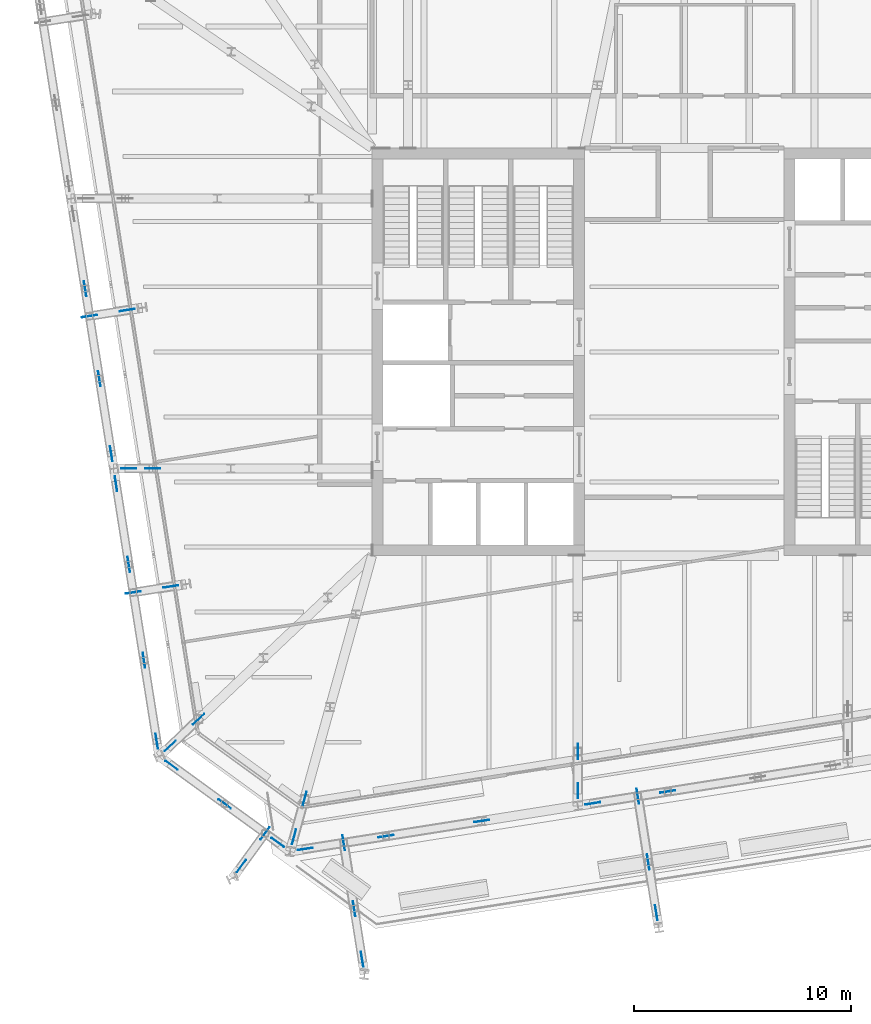
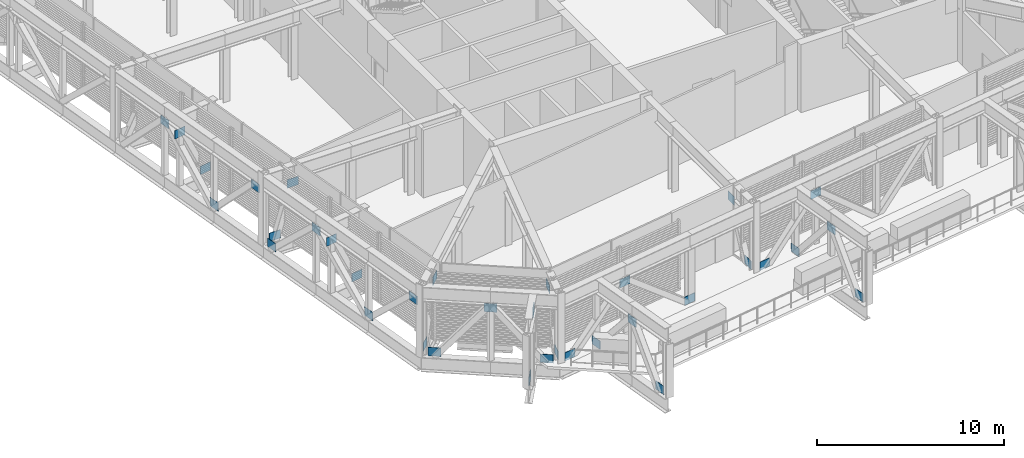
# One storey, part 29 of 35: 35 discrete accessories.
"""IFC4 building model written with IfcOpenShell, lengths in metres."""

import ifcopenshell
import ifcopenshell.guid

model = None  # the IFC model being written
_history = None  # IfcOwnerHistory: only IFC2X3 demands one
_inside = {}  # id of a spatial element -> (the spatial element, [elements in it])
_under = {}  # id of a project, library or spatial element -> (it, [spatial elements below it])
_declared = {}  # id of a project -> (the project, [libraries it declares])
_typed = {}  # id of a type object -> (the type object, [elements of that type])
_made_of = {}  # id of a material, layer set ... -> (it, [elements and type objects made of it])


def new_model(schema):
    """Start an empty IFC model of exactly this schema.

    Asked for "IFC4X3", IfcOpenShell would pick the latest addendum, in which some entities
    have other attributes; the version numbers below select the first issue.
    IFC2X3 requires an IfcOwnerHistory on every rooted entity: one is made here for all.
    """
    global model, _history
    if schema == "IFC4X3":
        model = ifcopenshell.file(schema_version=(4, 3, 0, 0))
    else:
        model = ifcopenshell.file(schema=schema)
    _inside.clear()
    _under.clear()
    _declared.clear()
    _typed.clear()
    _made_of.clear()
    _history = None
    if model.schema == "IFC2X3":
        org = make("IfcOrganization", Name="unknown")
        user = make(
            "IfcPersonAndOrganization",
            ThePerson=make("IfcPerson", FamilyName="unknown"),
            TheOrganization=org,
        )
        app = make(
            "IfcApplication",
            ApplicationDeveloper=org,
            Version="unknown",
            ApplicationFullName="unknown",
            ApplicationIdentifier="unknown",
        )
        _history = make(
            "IfcOwnerHistory",
            OwningUser=user,
            OwningApplication=app,
            ChangeAction="ADDED",
            CreationDate=0,
        )
    return model


def make(cls, **values):
    """One entity of the class cls with the attributes given. An attribute that is None is left unset."""
    return model.create_entity(
        cls, **{name: value for name, value in values.items() if value is not None}
    )


def rooted(cls, **values):
    """An entity with a GlobalId (a new one), such as an element, a storey or a relation."""
    return make(cls, GlobalId=ifcopenshell.guid.new(), OwnerHistory=_history, **values)


def si_unit(unit_type, name, prefix=None):
    """IfcSIUnit, for example si_unit("LENGTHUNIT", "METRE", prefix="MILLI")."""
    return make("IfcSIUnit", UnitType=unit_type, Prefix=prefix, Name=name)


def assignment(units):
    """IfcUnitAssignment: the units of a project."""
    return None if units is None else make("IfcUnitAssignment", Units=units)


def point(xyz):
    """IfcCartesianPoint."""
    return None if xyz is None else make("IfcCartesianPoint", Coordinates=xyz)


def direction(xyz):
    """IfcDirection."""
    return None if xyz is None else make("IfcDirection", DirectionRatios=xyz)


def frame(location, z_axis=None, x_axis=None):
    """IfcAxis2Placement3D, a coordinate frame: its origin and axes. An axis left out is left unset."""
    return make(
        "IfcAxis2Placement3D",
        Location=point(location),
        Axis=direction(z_axis),
        RefDirection=direction(x_axis),
    )


def frame_2d(location, x_axis=None):
    """IfcAxis2Placement2D, a coordinate frame in the plane: its origin and x axis."""
    return make(
        "IfcAxis2Placement2D", Location=point(location), RefDirection=direction(x_axis)
    )


def origin():
    """The frame at (0, 0, 0) with its axes left unset."""
    return frame((0.0, 0.0, 0.0))


def origin_2d():
    """The frame at (0, 0) in the plane with its x axis left unset."""
    return frame_2d((0.0, 0.0))


def place(relative_to, where):
    """IfcLocalPlacement: puts the frame where relative to a parent placement (None: the world)."""
    return make(
        "IfcLocalPlacement", PlacementRelTo=relative_to, RelativePlacement=where
    )


def context(
    kind, dimensions, precision=None, world=None, true_north=None, identifier=None
):
    """IfcGeometricRepresentationContext, for example the 3D "Model" context."""
    return make(
        "IfcGeometricRepresentationContext",
        ContextIdentifier=identifier,
        ContextType=kind,
        CoordinateSpaceDimension=dimensions,
        Precision=precision,
        WorldCoordinateSystem=world,
        TrueNorth=true_north,
    )


def subcontext(parent, identifier, kind, view, scale=None):
    """IfcGeometricRepresentationSubContext, for example "Body" below "Model"."""
    return make(
        "IfcGeometricRepresentationSubContext",
        ContextIdentifier=identifier,
        ContextType=kind,
        ParentContext=parent,
        TargetScale=scale,
        TargetView=view,
    )


def project(units=None, contexts=None):
    """IfcProject with its units and contexts."""
    return rooted(
        "IfcProject",
        Name="project",
        RepresentationContexts=contexts,
        UnitsInContext=assignment(units),
    )


def spatial(cls, under=None, at=None, **own):
    """A site, building, storey or space (cls), placed at a placement, below another one or the project."""
    s = rooted(cls, ObjectPlacement=at, **own)
    if under is not None:
        _under.setdefault(under.id(), (under, []))[1].append(s)
    return s


def profile(cls, at=None, kind="AREA", **sizes):
    """A parametric profile (cls). Its sizes go by their IFC names, for example OverallWidth=200.0."""
    return make(cls, ProfileType=kind, Position=at, **sizes)


def rectangle(**sizes):
    """IfcRectangleProfileDef."""
    return profile("IfcRectangleProfileDef", **sizes)


def extrude(swept, where, along, depth):
    """IfcExtrudedAreaSolid: the profile swept, set in the frame where, extruded along a direction by depth."""
    return make(
        "IfcExtrudedAreaSolid",
        SweptArea=swept,
        Position=where,
        ExtrudedDirection=direction(along),
        Depth=depth,
    )


def shape(context_of_items, identifier, shape_type, items):
    """IfcShapeRepresentation: the items that make up one representation, for example the "Body"."""
    return make(
        "IfcShapeRepresentation",
        ContextOfItems=context_of_items,
        RepresentationIdentifier=identifier,
        RepresentationType=shape_type,
        Items=items,
    )


def material(Name=None, Category=None):
    """IfcMaterial."""
    return make("IfcMaterial", Name=Name, Category=Category)


def layer(
    of_material, thickness, ventilated=None, Name=None, Category=None, Priority=None
):
    """IfcMaterialLayer: one layer of a wall or slab, of a material (None: an air gap)."""
    return make(
        "IfcMaterialLayer",
        Material=of_material,
        LayerThickness=thickness,
        IsVentilated=ventilated,
        Name=Name,
        Category=Category,
        Priority=Priority,
    )


def layer_set(layers, Name=None):
    """IfcMaterialLayerSet."""
    return make("IfcMaterialLayerSet", MaterialLayers=layers, LayerSetName=Name)


def made_of(thing, what):
    """Note that an element or type object is made of a material, layer set ...; save() writes the relation."""
    if what is not None:
        _made_of.setdefault(what.id(), (what, []))[1].append(thing)
    return thing


def type_object(cls, material=None, **own):
    """A type object (cls), such as IfcWallType, which elements share."""
    return made_of(rooted(cls, **own), material)


def element(
    cls,
    number,
    at=None,
    inside=None,
    cuts=None,
    type_object=None,
    material=None,
    context=None,
    identifier="Body",
    shape_type=None,
    held_by="IfcProductDefinitionShape",
    body=None,
    shapes=None,
    **own,
):
    """One element of the class cls, such as IfcWall. Its Tag is "e" and its number.

    at: its placement. inside: the storey or other place that contains it. cuts: it is an
    opening in that element (IfcRelVoidsElement). A single representation is given by context,
    identifier, shape_type and body (its items); several are given by shapes. held_by: the class
    of the entity that holds the representations. save() writes the other relations.
    """
    e = rooted(cls, Tag="e%d" % number, ObjectPlacement=at, **own)
    if body is not None:
        shapes = [shape(context, identifier, shape_type, body)]
    if shapes is not None:
        e.Representation = make(held_by, Representations=shapes)
    if inside is not None:
        _inside.setdefault(inside.id(), (inside, []))[1].append(e)
    if cuts is not None:
        rooted(
            "IfcRelVoidsElement", RelatingBuildingElement=cuts, RelatedOpeningElement=e
        )
    if type_object is not None:
        _typed.setdefault(type_object.id(), (type_object, []))[1].append(e)
    return made_of(e, material)


def aggregate(whole, parts):
    """IfcRelAggregates: a whole, such as a stair, and the parts it consists of."""
    return rooted("IfcRelAggregates", RelatingObject=whole, RelatedObjects=parts)


def save(model, path):
    """Write the relations noted so far, then the file.

    IfcRelAggregates (storeys below a building ...), IfcRelContainedInSpatialStructure (elements
    in a storey), IfcRelDefinesByType, IfcRelAssociatesMaterial and IfcRelDeclares: one each for
    every whole, place, type object, material and project.
    """
    for whole, parts in _under.values():
        aggregate(whole, parts)
    for where, things in _inside.values():
        rooted(
            "IfcRelContainedInSpatialStructure",
            RelatedElements=things,
            RelatingStructure=where,
        )
    for kind, things in _typed.values():
        rooted("IfcRelDefinesByType", RelatedObjects=things, RelatingType=kind)
    for what, things in _made_of.values():
        rooted("IfcRelAssociatesMaterial", RelatedObjects=things, RelatingMaterial=what)
    for by, libraries in _declared.values():
        rooted("IfcRelDeclares", RelatingContext=by, RelatedDefinitions=libraries)
    model.write(path)


model = new_model("IFC4")

# Units and contexts
model_context = context("Model", 3, precision=1e-05, world=origin(), true_north=direction((0.0, 1.0)))
body_context = subcontext(model_context, "Body", "Model", "MODEL_VIEW")
ifc_project = project(units=[si_unit("LENGTHUNIT", "METRE"), si_unit("AREAUNIT", "SQUARE_METRE"), si_unit("VOLUMEUNIT", "CUBIC_METRE"), si_unit("PLANEANGLEUNIT", "RADIAN"), si_unit("MASSUNIT", "GRAM", prefix="KILO")], contexts=[model_context])

# Site, building, storey
site_placement = place(None, origin())
site = spatial("IfcSite", under=ifc_project, at=site_placement, CompositionType="ELEMENT")
building_placement = place(site_placement, origin())
building = spatial("IfcBuilding", under=site, at=building_placement, Name="Millrace Tower", CompositionType="ELEMENT")
storey_placement = place(building_placement, frame((0.0, 0.0, 200.10009765625)))
storey = spatial("IfcBuildingStorey", under=building, at=storey_placement, Name="L45", CompositionType="ELEMENT", Elevation=200.10009765625)

# Discrete accessories
ifc_material = material(Name="Steel ASTM A572 Grade 50", Category="steel")
ifc_layer = layer(ifc_material, 0.02490234375)
ifc_layer_set = layer_set([ifc_layer], Name="Steel ASTM A572 Grade 50")
discrete_accessory_type = type_object("IfcDiscreteAccessoryType", Name="Truss gusset plate 700x550x25", PredefinedType="BRACKET", material=ifc_layer_set)
discrete_accessory_1_placement = place(storey_placement, frame((-23.9228515625, -18.85205078125, 0.114990234375), z_axis=(0.80894712746, -0.587881403835, 0.0), x_axis=(0.587881403835, 0.80894712746, 0.0)))
element("IfcDiscreteAccessory", 1, at=discrete_accessory_1_placement, inside=storey, type_object=discrete_accessory_type, Name="Truss gusset plate TRS-L45-R01-D01 foot", PredefinedType="BRACKET", context=body_context, shape_type="SweptSolid", body=[
    extrude(rectangle(XDim=0.02490234375, YDim=0.550048828125, at=origin_2d()), origin(), (0.0, 0.0, 1.0), 0.7001953125),
])
discrete_accessory_2_placement = place(storey_placement, frame((-21.473388671875, -20.631591796875, 3.217529296875), z_axis=(0.808826569644, -0.588047260207, 0.0), x_axis=(0.588047260207, 0.808826569644, 0.0)))
element("IfcDiscreteAccessory", 2, at=discrete_accessory_2_placement, inside=storey, type_object=discrete_accessory_type, Name="Truss gusset plate TRS-L45-R01-D01 head", PredefinedType="BRACKET", context=body_context, shape_type="SweptSolid", body=[
    extrude(rectangle(XDim=0.02490234375, YDim=0.550048828125, at=origin_2d()), origin(), (0.0, 0.0, 1.0), 0.699951171875),
])
discrete_accessory_3_placement = place(storey_placement, frame((-19.024169921875, -22.4111328125, 0.114990234375), z_axis=(0.80894712746, -0.587881403835, 0.0), x_axis=(0.587881403835, 0.80894712746, 0.0)))
element("IfcDiscreteAccessory", 3, at=discrete_accessory_3_placement, inside=storey, type_object=discrete_accessory_type, Name="Truss gusset plate TRS-L45-R01-D02 foot", PredefinedType="BRACKET", context=body_context, shape_type="SweptSolid", body=[
    extrude(rectangle(XDim=0.02490234375, YDim=0.550048828125, at=origin_2d()), origin(), (0.0, 0.0, 1.0), 0.7001953125),
])
for number, where, z_axis, x_axis, name in (
    (4, (-17.8291015625, -22.9736328125, 0.114990234375), (0.987717677878, 0.156249124184, 0.0), (-0.156249124184, 0.987717677878, 0.0), "Truss gusset plate TRS-L45-R02-D01 foot"),
    (5, (-14.099365234375, -22.3828125, 3.217529296875), (0.987717677878, 0.156249124184, 0.0), (-0.156249124184, 0.987717677878, 0.0), "Truss gusset plate TRS-L45-R02-D01 head"),
    (6, (-9.67822265625, -21.6826171875, 0.114990234375), (0.987717677878, 0.156249124184, 0.0), (-0.156249124184, 0.987717677878, 0.0), "Truss gusset plate TRS-L45-R02-D02 foot"),
    (7, (-4.56591796875, -20.873046875, 0.114990234375), (0.987663796475, 0.156589351913, 0.0), (-0.156589351913, 0.987663796475, 0.0), "Truss gusset plate TRS-L45-R03-D01 foot"),
    (8, (-1.10888671875, -20.325439453125, 3.217529296875), (0.987717677878, 0.156249124184, 0.0), (-0.156249124184, 0.987717677878, 0.0), "Truss gusset plate TRS-L45-R03-D01 head"),
    (9, (-27.675537109375, 3.259033203125, 3.217529296875), (0.156589351913, -0.987663796475, 0.0), (0.987663796475, 0.156589351913, 0.0), "Truss gusset plate TRS-L45-R15-D01 head"),
    (10, (-27.018310546875, -0.889404296875, 0.114990234375), (0.156249124184, -0.987717677878, 0.0), (0.987717677878, 0.156249124184, 0.0), "Truss gusset plate TRS-L45-R15-D02 foot"),
    (11, (-26.470947265625, -4.34619140625, 3.217529296875), (0.156589351913, -0.987663796475, 0.0), (0.987663796475, 0.156589351913, 0.0), "Truss gusset plate TRS-L45-R15-D03 head"),
    (12, (-26.251953125, -5.72900390625, 0.114990234375), (0.156589351913, -0.987663796475, 0.0), (0.987663796475, 0.156589351913, 0.0), "Truss gusset plate TRS-L45-R16-D01 foot"),
    (13, (-25.6611328125, -9.45849609375, 3.217529296875), (0.156249124184, -0.987717677878, 0.0), (0.987717677878, 0.156249124184, 0.0), "Truss gusset plate TRS-L45-R16-D01 head"),
    (14, (-24.9609375, -13.879638671875, 0.114990234375), (0.156249124184, -0.987717677878, 0.0), (0.987717677878, 0.156249124184, 0.0), "Truss gusset plate TRS-L45-R16-D02 foot"),
    (15, (-24.370361328125, -17.609375, 3.217529296875), (0.156589351913, -0.987663796475, 0.0), (0.987663796475, 0.156589351913, 0.0), "Truss gusset plate TRS-L45-R16-D03 head"),
    (16, (-23.951416015625, -18.40625, 0.114990234375), (0.727554587562, 0.686049795654, 0.0), (-0.686049795654, 0.727554587562, 0.0), "Truss gusset plate TRS-L45-C01-D01 foot"),
):
    element("IfcDiscreteAccessory", number, at=place(storey_placement, frame(where, z_axis=z_axis, x_axis=x_axis)), inside=storey, type_object=discrete_accessory_type, Name=name, PredefinedType="BRACKET", context=body_context, shape_type="SweptSolid", body=[
        extrude(rectangle(XDim=0.02490234375, YDim=0.550048828125, at=origin_2d()), origin(), (0.0, 0.0, 1.0), 0.699951171875),
    ])
discrete_accessory_4_placement = place(storey_placement, frame((-22.6416015625, -17.17138671875, 3.217529296875), z_axis=(0.72739036687, 0.686223909657, 0.0), x_axis=(-0.686223909657, 0.72739036687, 0.0)))
element("IfcDiscreteAccessory", 17, at=discrete_accessory_4_placement, inside=storey, type_object=discrete_accessory_type, Name="Truss gusset plate TRS-L45-C01-D01 head", PredefinedType="BRACKET", context=body_context, shape_type="SweptSolid", body=[
    extrude(rectangle(XDim=0.02490234375, YDim=0.550048828125, at=origin_2d()), origin(), (0.0, 0.0, 1.0), 0.69970703125),
])
for number, where, z_axis, x_axis, name in (
    (18, (-18.081298828125, -22.691162109375, 0.114990234375), (0.267158149471, 0.963652698419, 0.0), (-0.963652698419, 0.267158149471, 0.0), "Truss gusset plate TRS-L45-C02-D01 foot"),
    (19, (-17.600830078125, -20.956298828125, 3.217529296875), (0.267158149471, 0.963652698419, 0.0), (-0.963652698419, 0.267158149471, 0.0), "Truss gusset plate TRS-L45-C02-D01 head"),
    (20, (-4.91162109375, -20.57763671875, 0.114990234375), (0.0, 1.0, 0.0), (-1.0, 0.0, 0.0), "Truss gusset plate TRS-L45-C03-D01 foot"),
    (21, (-4.91162109375, -18.777587890625, 3.217529296875), (0.0, 1.0, 0.0), (-1.0, 0.0, 0.0), "Truss gusset plate TRS-L45-C03-D01 head"),
):
    element("IfcDiscreteAccessory", number, at=place(storey_placement, frame(where, z_axis=z_axis, x_axis=x_axis)), inside=storey, type_object=discrete_accessory_type, Name=name, PredefinedType="BRACKET", context=body_context, shape_type="SweptSolid", body=[
        extrude(rectangle(XDim=0.02490234375, YDim=0.550048828125, at=origin_2d()), origin(), (0.0, 0.0, 1.0), 0.699951171875),
    ])
discrete_accessory_5_placement = place(storey_placement, frame((-25.956787109375, -5.38330078125, 0.114990234375), z_axis=(1.0, 0.0, 0.0), x_axis=(0.0, 1.0, 0.0)))
element("IfcDiscreteAccessory", 22, at=discrete_accessory_5_placement, inside=storey, type_object=discrete_accessory_type, Name="Truss gusset plate TRS-L45-C16-D01 foot", PredefinedType="BRACKET", context=body_context, shape_type="SweptSolid", body=[
    extrude(rectangle(XDim=0.02490234375, YDim=0.550048828125, at=origin_2d()), origin(), (0.0, 0.0, 1.0), 0.7001953125),
])
for number, where, z_axis, x_axis, name in (
    (23, (-24.856689453125, -5.38330078125, 3.217529296875), (1.0, 0.0, 0.0), (0.0, 1.0, 0.0), "Truss gusset plate TRS-L45-C16-D01 head"),
    (24, (-20.623779296875, -23.98583984375, 0.114990234375), (0.587819016355, 0.808992462271, 0.0), (-0.808992462271, 0.587819016355, 0.0), "Truss gusset plate TRS-L45-B-C-X01-D01 foot"),
    (25, (-19.528076171875, -22.477783203125, 3.217529296875), (0.587819016355, 0.808992462271, 0.0), (-0.808992462271, 0.587819016355, 0.0), "Truss gusset plate TRS-L45-B-C-X01-D01 head"),
    (26, (-14.9052734375, -27.655517578125, 0.114990234375), (0.156589351913, -0.987663796475, 0.0), (0.987663796475, 0.156589351913, 0.0), "Truss gusset plate TRS-L45-B-C-X02-D01 foot"),
    (27, (-15.275390625, -25.31884765625, 3.217529296875), (0.156589351913, -0.987663796475, 0.0), (0.987663796475, 0.156589351913, 0.0), "Truss gusset plate TRS-L45-B-C-X02-D01 head"),
    (28, (-15.7548828125, -22.290771484375, 0.114990234375), (0.156249124184, -0.987717677878, 0.0), (0.987717677878, 0.156249124184, 0.0), "Truss gusset plate TRS-L45-B-C-X02-D02 foot"),
    (29, (-1.345703125, -25.508056640625, 0.114990234375), (0.156249124184, -0.987717677878, 0.0), (0.987717677878, 0.156249124184, 0.0), "Truss gusset plate TRS-L45-B-C-X03-D01 foot"),
    (30, (-1.7158203125, -23.17138671875, 3.217529296875), (0.156249124184, -0.987717677878, 0.0), (0.987717677878, 0.156249124184, 0.0), "Truss gusset plate TRS-L45-B-C-X03-D01 head"),
    (31, (-2.195556640625, -20.143310546875, 0.114990234375), (0.156589351913, -0.987663796475, 0.0), (0.987663796475, 0.156589351913, 0.0), "Truss gusset plate TRS-L45-B-C-X03-D02 foot"),
):
    element("IfcDiscreteAccessory", number, at=place(storey_placement, frame(where, z_axis=z_axis, x_axis=x_axis)), inside=storey, type_object=discrete_accessory_type, Name=name, PredefinedType="BRACKET", context=body_context, shape_type="SweptSolid", body=[
        extrude(rectangle(XDim=0.02490234375, YDim=0.550048828125, at=origin_2d()), origin(), (0.0, 0.0, 1.0), 0.699951171875),
    ])
discrete_accessory_6_placement = place(storey_placement, frame((-26.031982421875, 1.8671875, 0.114990234375), z_axis=(0.987655240593, 0.156643307321, 0.0), x_axis=(-0.156643307321, 0.987655240593, 0.0)))
element("IfcDiscreteAccessory", 32, at=discrete_accessory_6_placement, inside=storey, type_object=discrete_accessory_type, Name="Truss gusset plate TRS-L45-B-C-X15-D01 foot", PredefinedType="BRACKET", context=body_context, shape_type="SweptSolid", body=[
    extrude(rectangle(XDim=0.02490234375, YDim=0.550048828125, at=origin_2d()), origin(), (0.0, 0.0, 1.0), 0.69970703125),
])
for number, where, z_axis, x_axis, name in (
    (33, (-27.765869140625, 1.592529296875, 3.217529296875), (0.987663796475, 0.156589351913, 0.0), (-0.156589351913, 0.987663796475, 0.0), "Truss gusset plate TRS-L45-B-C-X15-D01 head"),
    (34, (-24.01416015625, -10.873779296875, 0.114990234375), (0.987717677878, 0.156249124184, 0.0), (-0.156249124184, 0.987717677878, 0.0), "Truss gusset plate TRS-L45-B-C-X16-D01 foot"),
    (35, (-25.747802734375, -11.1484375, 3.217529296875), (0.987717677878, 0.156249124184, 0.0), (-0.156249124184, 0.987717677878, 0.0), "Truss gusset plate TRS-L45-B-C-X16-D01 head"),
):
    element("IfcDiscreteAccessory", number, at=place(storey_placement, frame(where, z_axis=z_axis, x_axis=x_axis)), inside=storey, type_object=discrete_accessory_type, Name=name, PredefinedType="BRACKET", context=body_context, shape_type="SweptSolid", body=[
        extrude(rectangle(XDim=0.02490234375, YDim=0.550048828125, at=origin_2d()), origin(), (0.0, 0.0, 1.0), 0.699951171875),
    ])

save(model, "model.ifc")
